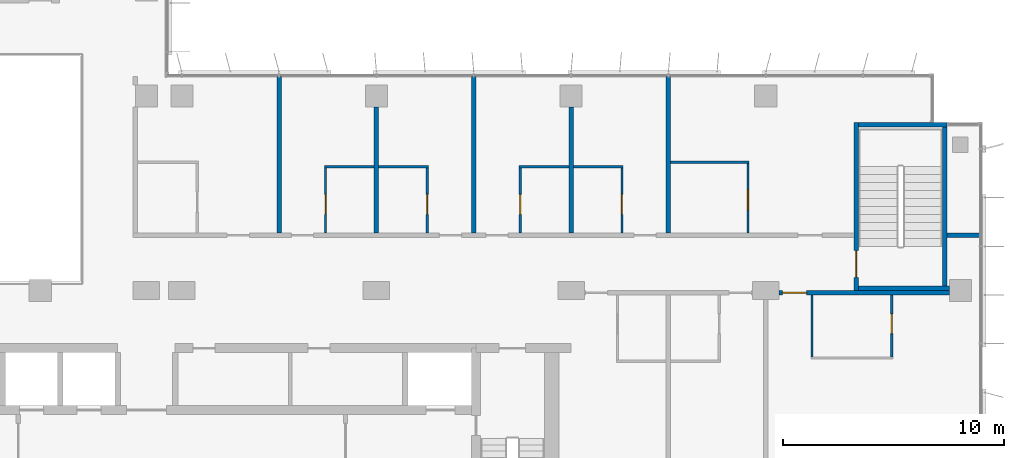
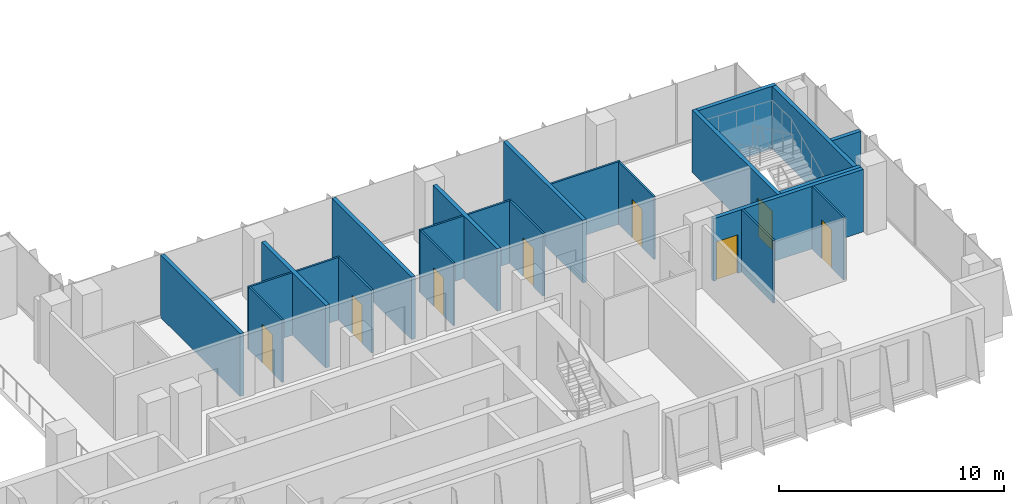
# One storey, part 15 of 21: 23 walls, 8 doors, 8 openings.
"""IFC4 building model written with IfcOpenShell, lengths in metres."""

from ifc_helpers import new_model, si_unit, direction, frame, frame_2d, origin, place, context, subcontext, project, spatial, rectangle, extrude, material, layer, layer_set, type_object, element, fill, save


model = new_model("IFC4")

# Units and contexts
model_context = context("Model", 3, precision=1e-05, world=origin(), true_north=direction((0.0, 1.0)))
body_context = subcontext(model_context, "Body", "Model", "MODEL_VIEW")
ifc_project = project(units=[si_unit("LENGTHUNIT", "METRE"), si_unit("AREAUNIT", "SQUARE_METRE"), si_unit("VOLUMEUNIT", "CUBIC_METRE"), si_unit("PLANEANGLEUNIT", "RADIAN"), si_unit("MASSUNIT", "GRAM", prefix="KILO")], contexts=[model_context])

# Site, building, storey
site_placement = place(None, origin())
site = spatial("IfcSite", under=ifc_project, at=site_placement, CompositionType="ELEMENT")
building_placement = place(site_placement, origin())
building = spatial("IfcBuilding", under=site, at=building_placement, Name="Kemantara Hotel Tower", CompositionType="ELEMENT")
storey_placement = place(building_placement, frame((0.0, 0.0, 156.800048828125)))
storey = spatial("IfcBuildingStorey", under=building, at=storey_placement, Name="L38", CompositionType="ELEMENT", Elevation=156.800048828125)

# Wall, opening, door
ifc_material_1 = material(Name="Gypsum board partition, steel studs and mineral wool, 200 mm", Category="steel")
ifc_layer_1 = layer(ifc_material_1, 0.199951171875)
ifc_layer_set_1 = layer_set([ifc_layer_1], Name="Gypsum board partition, steel studs and mineral wool, 200 mm")
wall_type_1 = type_object("IfcWallType", Name="CORRIDOR WALL 200", PredefinedType="PARTITIONING", material=ifc_layer_set_1)
wall_1_placement = place(storey_placement, frame((62.099853515625, 12.10009765625, 0.0), z_axis=(0.0, 0.0, 1.0), x_axis=(-1.0, 0.0, 0.0)))
wall_1 = element("IfcWall", 1, at=wall_1_placement, inside=storey, type_object=wall_type_1, Name="CORRIDOR WALL 200 002", PredefinedType="PARTITIONING", context=body_context, shape_type="SweptSolid", body=[
    extrude(rectangle(XDim=7.69970703125, YDim=0.199951171875, at=frame_2d((3.849853515625, 0.0))), origin(), (0.0, 0.0, 1.0), 3.39990234375),
])
opening_1_placement = place(wall_1_placement, frame((6.449951171875, 0.0, 0.0)))
opening_1 = element("IfcOpeningElement", 2, at=opening_1_placement, cuts=wall_1, Name="Opening F17-005", PredefinedType="OPENING", context=body_context, shape_type="SweptSolid", body=[
    extrude(rectangle(XDim=1.10009765625, YDim=2.10009765625, at=frame_2d((0.550048828125, 1.050048828125))), frame((0.0, 0.10986328125, 0.0), z_axis=(0.0, -1.0, 0.0), x_axis=(1.0, 0.0, 0.0)), (0.0, 0.0, 1.0), 0.219970703125),
])
ifc_material_2 = material(Name="Hardwood veneer door leaf with steel frame", Category="steel")
door_type_1 = type_object("IfcDoorType", Name="SUITE ENTRANCE DOOR 1100 X 2100 FD30S", OperationType="NOTDEFINED", PredefinedType="DOOR", material=ifc_material_2)
door_1_placement = place(opening_1_placement, origin())
door_1 = element("IfcDoor", 3, at=door_1_placement, inside=storey, type_object=door_type_1, Name="SUITE ENTRANCE DOOR F17-005", OperationType="SINGLE_SWING_LEFT", OverallHeight=2.10009765625, OverallWidth=1.10009765625, PredefinedType="DOOR", context=body_context, shape_type="SweptSolid", body=[
    extrude(rectangle(XDim=1.10009765625, YDim=2.10009765625, at=frame_2d((0.550048828125, 1.050048828125))), frame((0.0, 0.02490234375, 0.0), z_axis=(0.0, -1.0, 0.0), x_axis=(1.0, 0.0, 0.0)), (0.0, 0.0, 1.0), 0.050048828125),
])
fill(opening_1, door_1)

# Wall
wall_2_placement = place(storey_placement, frame((62.0, 14.699951171875, 0.0), z_axis=(0.0, 0.0, 1.0), x_axis=(1.0, 0.0, 0.0)))
element("IfcWall", 4, at=wall_2_placement, inside=storey, type_object=wall_type_1, Name="CORRIDOR WALL 200 007", PredefinedType="PARTITIONING", context=body_context, shape_type="SweptSolid", body=[
    extrude(rectangle(XDim=1.47998046875, YDim=0.199951171875, at=frame_2d((0.739990234375, 0.0))), origin(), (0.0, 0.0, 1.0), 3.39990234375),
])

# Wall, opening, door
ifc_material_3 = material(Name="Concrete fc 40 MPa", Category="concrete")
ifc_layer_2 = layer(ifc_material_3, 0.199951171875)
ifc_layer_set_2 = layer_set([ifc_layer_2], Name="Concrete fc 40 MPa")
wall_type_2 = type_object("IfcWallType", Name="Concrete stair wall 200 mm", PredefinedType="SHEAR", material=ifc_layer_set_2)
wall_3_placement = place(storey_placement, frame((57.89990234375, 12.199951171875, 0.0), z_axis=(0.0, 0.0, 1.0), x_axis=(0.0, 1.0, 0.0)))
wall_3 = element("IfcWall", 5, at=wall_3_placement, inside=storey, type_object=wall_type_2, Name="Stair ST3 enclosure wall with door", PredefinedType="SHEAR", context=body_context, shape_type="SweptSolid", body=[
    extrude(rectangle(XDim=7.60009765625, YDim=0.199951171875, at=frame_2d((3.800048828125, 0.0))), origin(), (0.0, 0.0, 1.0), 3.39990234375),
])
opening_2_placement = place(wall_3_placement, frame((0.60009765625, 0.0, 0.0)))
opening_2 = element("IfcOpeningElement", 6, at=opening_2_placement, cuts=wall_3, Name="Opening ST3-C", PredefinedType="OPENING", context=body_context, shape_type="SweptSolid", body=[
    extrude(rectangle(XDim=1.199951171875, YDim=2.10009765625, at=frame_2d((0.60009765625, 1.050048828125))), frame((0.0, 0.10986328125, 0.0), z_axis=(0.0, -1.0, 0.0), x_axis=(1.0, 0.0, 0.0)), (0.0, 0.0, 1.0), 0.219970703125),
])
ifc_material_4 = material(Name="Steel fire door", Category="steel")
door_type_2 = type_object("IfcDoorType", Name="Fire door FD90 1200 x 2100", OperationType="NOTDEFINED", PredefinedType="DOOR", material=ifc_material_4)
door_2_placement = place(opening_2_placement, frame((1.199951171875, 0.0, 0.0), z_axis=(0.0, 0.0, 1.0), x_axis=(-1.0, 0.0, 0.0)))
door_2 = element("IfcDoor", 7, at=door_2_placement, inside=storey, type_object=door_type_2, Name="Stair ST3 door", OperationType="SINGLE_SWING_RIGHT", OverallHeight=2.10009765625, OverallWidth=1.199951171875, PredefinedType="DOOR", context=body_context, shape_type="SweptSolid", body=[
    extrude(rectangle(XDim=1.199951171875, YDim=2.10009765625, at=frame_2d((0.60009765625, 1.050048828125))), frame((0.0, 0.02490234375, 0.0), z_axis=(0.0, -1.0, 0.0), x_axis=(1.0, 0.0, 0.0)), (0.0, 0.0, 1.0), 0.050048828125),
])
fill(opening_2, door_2)

# Walls
wall_4_placement = place(storey_placement, frame((58.0, 19.699951171875, 0.0), z_axis=(0.0, 0.0, 1.0), x_axis=(1.0, 0.0, 0.0)))
element("IfcWall", 8, at=wall_4_placement, inside=storey, type_object=wall_type_2, Name="Stair ST3 enclosure wall N", PredefinedType="SHEAR", context=body_context, shape_type="SweptSolid", body=[
    extrude(rectangle(XDim=4.0, YDim=0.199951171875, at=frame_2d((2.0, 0.0))), origin(), (0.0, 0.0, 1.0), 3.39990234375),
])
wall_5_placement = place(storey_placement, frame((58.0, 12.300048828125, 0.0), z_axis=(0.0, 0.0, 1.0), x_axis=(1.0, 0.0, 0.0)))
element("IfcWall", 9, at=wall_5_placement, inside=storey, type_object=wall_type_2, Name="Stair ST3 enclosure wall S", PredefinedType="SHEAR", context=body_context, shape_type="SweptSolid", body=[
    extrude(rectangle(XDim=4.10009765625, YDim=0.199951171875, at=frame_2d((2.050048828125, 0.0))), origin(), (0.0, 0.0, 1.0), 3.39990234375),
])
wall_6_placement = place(storey_placement, frame((61.89990234375, 12.39990234375, 0.0), z_axis=(0.0, 0.0, 1.0), x_axis=(0.0, 1.0, 0.0)))
element("IfcWall", 10, at=wall_6_placement, inside=storey, type_object=wall_type_2, Name="Stair ST3 enclosure wall E", PredefinedType="SHEAR", context=body_context, shape_type="SweptSolid", body=[
    extrude(rectangle(XDim=7.2001953125, YDim=0.199951171875, at=frame_2d((3.60009765625, 0.0))), origin(), (0.0, 0.0, 1.0), 3.39990234375),
])
ifc_layer_3 = layer(ifc_material_1, 0.199951171875)
ifc_layer_set_3 = layer_set([ifc_layer_3], Name="Gypsum board partition, steel studs and mineral wool, 200 mm")
wall_type_3 = type_object("IfcWallType", Name="GUEST ROOM PARTY WALL 200", PredefinedType="PARTITIONING", material=ifc_layer_set_3)
for number, where, z_axis, x_axis, name in (
    (11, (49.39990234375, 14.800048828125, 0.0), (0.0, 0.0, 1.0), (0.0, 1.0, 0.0), "GUEST ROOM PARTY WALL 200 004"),
    (12, (31.800048828125, 14.800048828125, 0.0), (0.0, 0.0, 1.0), (0.0, 1.0, 0.0), "GUEST ROOM PARTY WALL 200 010"),
):
    element("IfcWall", number, at=place(storey_placement, frame(where, z_axis=z_axis, x_axis=x_axis)), inside=storey, type_object=wall_type_3, Name=name, PredefinedType="PARTITIONING", context=body_context, shape_type="SweptSolid", body=[
        extrude(rectangle(XDim=7.070068359375, YDim=0.199951171875, at=frame_2d((3.53515625, 0.0))), origin(), (0.0, 0.0, 1.0), 3.39990234375),
    ])
wall_7_placement = place(storey_placement, frame((36.199951171875, 14.800048828125, 0.0), z_axis=(0.0, 0.0, 1.0), x_axis=(0.0, 1.0, 0.0)))
element("IfcWall", 13, at=wall_7_placement, inside=storey, type_object=wall_type_3, Name="GUEST ROOM PARTY WALL 200 011", PredefinedType="PARTITIONING", context=body_context, shape_type="SweptSolid", body=[
    extrude(rectangle(XDim=5.699951171875, YDim=0.199951171875, at=frame_2d((2.85009765625, 0.0))), origin(), (0.0, 0.0, 1.0), 3.39990234375),
])
wall_8_placement = place(storey_placement, frame((40.60009765625, 14.800048828125, 0.0), z_axis=(0.0, 0.0, 1.0), x_axis=(0.0, 1.0, 0.0)))
element("IfcWall", 14, at=wall_8_placement, inside=storey, type_object=wall_type_3, Name="GUEST ROOM PARTY WALL 200 012", PredefinedType="PARTITIONING", context=body_context, shape_type="SweptSolid", body=[
    extrude(rectangle(XDim=7.070068359375, YDim=0.199951171875, at=frame_2d((3.53515625, 0.0))), origin(), (0.0, 0.0, 1.0), 3.39990234375),
])
wall_9_placement = place(storey_placement, frame((45.0, 14.800048828125, 0.0), z_axis=(0.0, 0.0, 1.0), x_axis=(0.0, 1.0, 0.0)))
element("IfcWall", 15, at=wall_9_placement, inside=storey, type_object=wall_type_3, Name="GUEST ROOM PARTY WALL 200 013", PredefinedType="PARTITIONING", context=body_context, shape_type="SweptSolid", body=[
    extrude(rectangle(XDim=5.699951171875, YDim=0.199951171875, at=frame_2d((2.85009765625, 0.0))), origin(), (0.0, 0.0, 1.0), 3.39990234375),
])
ifc_material_5 = material(Name="Gypsum board partition on steel studs, 100 mm", Category="steel")
ifc_layer_4 = layer(ifc_material_5, 0.10009765625)
ifc_layer_set_4 = layer_set([ifc_layer_4], Name="Gypsum board partition on steel studs, 100 mm")
wall_type_4 = type_object("IfcWallType", Name="ROOM PARTITION 100", PredefinedType="PARTITIONING", material=ifc_layer_set_4)
wall_10_placement = place(storey_placement, frame((55.89990234375, 9.199951171875, 0.0), z_axis=(0.0, 0.0, 1.0), x_axis=(0.0, 1.0, 0.0)))
element("IfcWall", 16, at=wall_10_placement, inside=storey, type_object=wall_type_4, Name="ROOM PARTITION 100 041", PredefinedType="PARTITIONING", context=body_context, shape_type="SweptSolid", body=[
    extrude(rectangle(XDim=2.800048828125, YDim=0.10009765625, at=frame_2d((1.39990234375, 0.0))), origin(), (0.0, 0.0, 1.0), 3.39990234375),
])

# Wall, opening, door
wall_11_placement = place(storey_placement, frame((59.5, 9.199951171875, 0.0), z_axis=(0.0, 0.0, 1.0), x_axis=(0.0, 1.0, 0.0)))
wall_11 = element("IfcWall", 17, at=wall_11_placement, inside=storey, type_object=wall_type_4, Name="ROOM PARTITION 100 042", PredefinedType="PARTITIONING", context=body_context, shape_type="SweptSolid", body=[
    extrude(rectangle(XDim=2.800048828125, YDim=0.10009765625, at=frame_2d((1.39990234375, 0.0))), origin(), (0.0, 0.0, 1.0), 3.39990234375),
])
opening_3_placement = place(wall_11_placement, frame((1.050048828125, 0.0, 0.0)))
opening_3 = element("IfcOpeningElement", 18, at=opening_3_placement, cuts=wall_11, Name="Opening F17-006", PredefinedType="OPENING", context=body_context, shape_type="SweptSolid", body=[
    extrude(rectangle(XDim=0.89990234375, YDim=2.10009765625, at=frame_2d((0.449951171875, 1.050048828125))), frame((0.0, 0.06005859375, 0.0), z_axis=(0.0, -1.0, 0.0), x_axis=(1.0, 0.0, 0.0)), (0.0, 0.0, 1.0), 0.1201171875),
])
door_type_3 = type_object("IfcDoorType", Name="BATHROOM DOOR 900 X 2100", OperationType="NOTDEFINED", PredefinedType="DOOR", material=ifc_material_2)
door_3_placement = place(opening_3_placement, origin())
door_3 = element("IfcDoor", 19, at=door_3_placement, inside=storey, type_object=door_type_3, Name="BATHROOM DOOR F17-006", OperationType="SINGLE_SWING_RIGHT", OverallHeight=2.10009765625, OverallWidth=0.89990234375, PredefinedType="DOOR", context=body_context, shape_type="SweptSolid", body=[
    extrude(rectangle(XDim=0.89990234375, YDim=2.10009765625, at=frame_2d((0.449951171875, 1.050048828125))), frame((0.0, 0.02490234375, 0.0), z_axis=(0.0, -1.0, 0.0), x_axis=(1.0, 0.0, 0.0)), (0.0, 0.0, 1.0), 0.050048828125),
])
fill(opening_3, door_3)

# Walls
wall_12_placement = place(storey_placement, frame((49.5, 18.0, 0.0), z_axis=(0.0, 0.0, 1.0), x_axis=(1.0, 0.0, 0.0)))
element("IfcWall", 20, at=wall_12_placement, inside=storey, type_object=wall_type_4, Name="ROOM PARTITION 100 044", PredefinedType="PARTITIONING", context=body_context, shape_type="SweptSolid", body=[
    extrude(rectangle(XDim=3.550048828125, YDim=0.10009765625, at=frame_2d((1.77490234375, 0.0))), origin(), (0.0, 0.0, 1.0), 3.39990234375),
])
for number, where, z_axis, x_axis, name in (
    (21, (33.85009765625, 17.800048828125, 0.0), (0.0, 0.0, 1.0), (1.0, 0.0, 0.0), "ROOM PARTITION 100 047"),
    (22, (36.300048828125, 17.800048828125, 0.0), (0.0, 0.0, 1.0), (1.0, 0.0, 0.0), "ROOM PARTITION 100 048"),
    (23, (42.64990234375, 17.800048828125, 0.0), (0.0, 0.0, 1.0), (1.0, 0.0, 0.0), "ROOM PARTITION 100 049"),
    (24, (45.10009765625, 17.800048828125, 0.0), (0.0, 0.0, 1.0), (1.0, 0.0, 0.0), "ROOM PARTITION 100 050"),
):
    element("IfcWall", number, at=place(storey_placement, frame(where, z_axis=z_axis, x_axis=x_axis)), inside=storey, type_object=wall_type_4, Name=name, PredefinedType="PARTITIONING", context=body_context, shape_type="SweptSolid", body=[
        extrude(rectangle(XDim=2.25, YDim=0.10009765625, at=frame_2d((1.125, 0.0))), origin(), (0.0, 0.0, 1.0), 3.39990234375),
    ])

# Wall, opening, door
wall_13_placement = place(storey_placement, frame((33.89990234375, 17.75, 0.0), z_axis=(0.0, 0.0, 1.0), x_axis=(0.0, -1.0, 0.0)))
wall_13 = element("IfcWall", 25, at=wall_13_placement, inside=storey, type_object=wall_type_4, Name="ROOM PARTITION 100 051", PredefinedType="PARTITIONING", context=body_context, shape_type="SweptSolid", body=[
    extrude(rectangle(XDim=2.949951171875, YDim=0.10009765625, at=frame_2d((1.47509765625, 0.0))), origin(), (0.0, 0.0, 1.0), 3.39990234375),
])
opening_4_placement = place(wall_13_placement, frame((1.199951171875, 0.0, 0.0)))
opening_4 = element("IfcOpeningElement", 26, at=opening_4_placement, cuts=wall_13, Name="Opening F17-010", PredefinedType="OPENING", context=body_context, shape_type="SweptSolid", body=[
    extrude(rectangle(XDim=0.89990234375, YDim=2.10009765625, at=frame_2d((0.449951171875, 1.050048828125))), frame((0.0, 0.06005859375, 0.0), z_axis=(0.0, -1.0, 0.0), x_axis=(1.0, 0.0, 0.0)), (0.0, 0.0, 1.0), 0.1201171875),
])
door_4_placement = place(opening_4_placement, origin())
door_4 = element("IfcDoor", 27, at=door_4_placement, inside=storey, type_object=door_type_3, Name="BATHROOM DOOR F17-010", OperationType="SINGLE_SWING_RIGHT", OverallHeight=2.10009765625, OverallWidth=0.89990234375, PredefinedType="DOOR", context=body_context, shape_type="SweptSolid", body=[
    extrude(rectangle(XDim=0.89990234375, YDim=2.10009765625, at=frame_2d((0.449951171875, 1.050048828125))), frame((0.0, 0.02490234375, 0.0), z_axis=(0.0, -1.0, 0.0), x_axis=(1.0, 0.0, 0.0)), (0.0, 0.0, 1.0), 0.050048828125),
])
fill(opening_4, door_4)

wall_14_placement = place(storey_placement, frame((38.5, 14.800048828125, 0.0), z_axis=(0.0, 0.0, 1.0), x_axis=(0.0, 1.0, 0.0)))
wall_14 = element("IfcWall", 28, at=wall_14_placement, inside=storey, type_object=wall_type_4, Name="ROOM PARTITION 100 052", PredefinedType="PARTITIONING", context=body_context, shape_type="SweptSolid", body=[
    extrude(rectangle(XDim=2.949951171875, YDim=0.10009765625, at=frame_2d((1.47509765625, 0.0))), origin(), (0.0, 0.0, 1.0), 3.39990234375),
])
opening_5_placement = place(wall_14_placement, frame((0.85009765625, 0.0, 0.0)))
opening_5 = element("IfcOpeningElement", 29, at=opening_5_placement, cuts=wall_14, Name="Opening F17-012", PredefinedType="OPENING", context=body_context, shape_type="SweptSolid", body=[
    extrude(rectangle(XDim=0.89990234375, YDim=2.10009765625, at=frame_2d((0.449951171875, 1.050048828125))), frame((0.0, 0.06005859375, 0.0), z_axis=(0.0, -1.0, 0.0), x_axis=(1.0, 0.0, 0.0)), (0.0, 0.0, 1.0), 0.1201171875),
])
door_5_placement = place(opening_5_placement, origin())
door_5 = element("IfcDoor", 30, at=door_5_placement, inside=storey, type_object=door_type_3, Name="BATHROOM DOOR F17-012", OperationType="SINGLE_SWING_LEFT", OverallHeight=2.10009765625, OverallWidth=0.89990234375, PredefinedType="DOOR", context=body_context, shape_type="SweptSolid", body=[
    extrude(rectangle(XDim=0.89990234375, YDim=2.10009765625, at=frame_2d((0.449951171875, 1.050048828125))), frame((0.0, 0.02490234375, 0.0), z_axis=(0.0, -1.0, 0.0), x_axis=(1.0, 0.0, 0.0)), (0.0, 0.0, 1.0), 0.050048828125),
])
fill(opening_5, door_5)

wall_15_placement = place(storey_placement, frame((42.699951171875, 17.75, 0.0), z_axis=(0.0, 0.0, 1.0), x_axis=(0.0, -1.0, 0.0)))
wall_15 = element("IfcWall", 31, at=wall_15_placement, inside=storey, type_object=wall_type_4, Name="ROOM PARTITION 100 053", PredefinedType="PARTITIONING", context=body_context, shape_type="SweptSolid", body=[
    extrude(rectangle(XDim=2.949951171875, YDim=0.10009765625, at=frame_2d((1.47509765625, 0.0))), origin(), (0.0, 0.0, 1.0), 3.39990234375),
])
opening_6_placement = place(wall_15_placement, frame((1.199951171875, 0.0, 0.0)))
opening_6 = element("IfcOpeningElement", 32, at=opening_6_placement, cuts=wall_15, Name="Opening F17-014", PredefinedType="OPENING", context=body_context, shape_type="SweptSolid", body=[
    extrude(rectangle(XDim=0.89990234375, YDim=2.10009765625, at=frame_2d((0.449951171875, 1.050048828125))), frame((0.0, 0.06005859375, 0.0), z_axis=(0.0, -1.0, 0.0), x_axis=(1.0, 0.0, 0.0)), (0.0, 0.0, 1.0), 0.1201171875),
])
door_6_placement = place(opening_6_placement, origin())
door_6 = element("IfcDoor", 33, at=door_6_placement, inside=storey, type_object=door_type_3, Name="BATHROOM DOOR F17-014", OperationType="SINGLE_SWING_RIGHT", OverallHeight=2.10009765625, OverallWidth=0.89990234375, PredefinedType="DOOR", context=body_context, shape_type="SweptSolid", body=[
    extrude(rectangle(XDim=0.89990234375, YDim=2.10009765625, at=frame_2d((0.449951171875, 1.050048828125))), frame((0.0, 0.02490234375, 0.0), z_axis=(0.0, -1.0, 0.0), x_axis=(1.0, 0.0, 0.0)), (0.0, 0.0, 1.0), 0.050048828125),
])
fill(opening_6, door_6)

wall_16_placement = place(storey_placement, frame((47.300048828125, 14.800048828125, 0.0), z_axis=(0.0, 0.0, 1.0), x_axis=(0.0, 1.0, 0.0)))
wall_16 = element("IfcWall", 34, at=wall_16_placement, inside=storey, type_object=wall_type_4, Name="ROOM PARTITION 100 054", PredefinedType="PARTITIONING", context=body_context, shape_type="SweptSolid", body=[
    extrude(rectangle(XDim=2.949951171875, YDim=0.10009765625, at=frame_2d((1.47509765625, 0.0))), origin(), (0.0, 0.0, 1.0), 3.39990234375),
])
opening_7_placement = place(wall_16_placement, frame((0.85009765625, 0.0, 0.0)))
opening_7 = element("IfcOpeningElement", 35, at=opening_7_placement, cuts=wall_16, Name="Opening F17-016", PredefinedType="OPENING", context=body_context, shape_type="SweptSolid", body=[
    extrude(rectangle(XDim=0.89990234375, YDim=2.10009765625, at=frame_2d((0.449951171875, 1.050048828125))), frame((0.0, 0.06005859375, 0.0), z_axis=(0.0, -1.0, 0.0), x_axis=(1.0, 0.0, 0.0)), (0.0, 0.0, 1.0), 0.1201171875),
])
door_7_placement = place(opening_7_placement, origin())
door_7 = element("IfcDoor", 36, at=door_7_placement, inside=storey, type_object=door_type_3, Name="BATHROOM DOOR F17-016", OperationType="SINGLE_SWING_LEFT", OverallHeight=2.10009765625, OverallWidth=0.89990234375, PredefinedType="DOOR", context=body_context, shape_type="SweptSolid", body=[
    extrude(rectangle(XDim=0.89990234375, YDim=2.10009765625, at=frame_2d((0.449951171875, 1.050048828125))), frame((0.0, 0.02490234375, 0.0), z_axis=(0.0, -1.0, 0.0), x_axis=(1.0, 0.0, 0.0)), (0.0, 0.0, 1.0), 0.050048828125),
])
fill(opening_7, door_7)

wall_17_placement = place(storey_placement, frame((53.0, 14.800048828125, 0.0), z_axis=(0.0, 0.0, 1.0), x_axis=(0.0, 1.0, 0.0)))
wall_17 = element("IfcWall", 37, at=wall_17_placement, inside=storey, type_object=wall_type_4, Name="ROOM PARTITION 100 055", PredefinedType="PARTITIONING", context=body_context, shape_type="SweptSolid", body=[
    extrude(rectangle(XDim=3.14990234375, YDim=0.10009765625, at=frame_2d((1.574951171875, 0.0))), origin(), (0.0, 0.0, 1.0), 3.39990234375),
])
opening_8_placement = place(wall_17_placement, frame((1.050048828125, 0.0, 0.0)))
opening_8 = element("IfcOpeningElement", 38, at=opening_8_placement, cuts=wall_17, Name="Opening F17-018", PredefinedType="OPENING", context=body_context, shape_type="SweptSolid", body=[
    extrude(rectangle(XDim=0.89990234375, YDim=2.10009765625, at=frame_2d((0.449951171875, 1.050048828125))), frame((0.0, 0.06005859375, 0.0), z_axis=(0.0, -1.0, 0.0), x_axis=(1.0, 0.0, 0.0)), (0.0, 0.0, 1.0), 0.1201171875),
])
door_8_placement = place(opening_8_placement, origin())
door_8 = element("IfcDoor", 39, at=door_8_placement, inside=storey, type_object=door_type_3, Name="BATHROOM DOOR F17-018", OperationType="SINGLE_SWING_LEFT", OverallHeight=2.10009765625, OverallWidth=0.89990234375, PredefinedType="DOOR", context=body_context, shape_type="SweptSolid", body=[
    extrude(rectangle(XDim=0.89990234375, YDim=2.10009765625, at=frame_2d((0.449951171875, 1.050048828125))), frame((0.0, 0.02490234375, 0.0), z_axis=(0.0, -1.0, 0.0), x_axis=(1.0, 0.0, 0.0)), (0.0, 0.0, 1.0), 0.050048828125),
])
fill(opening_8, door_8)

save(model, "model.ifc")
